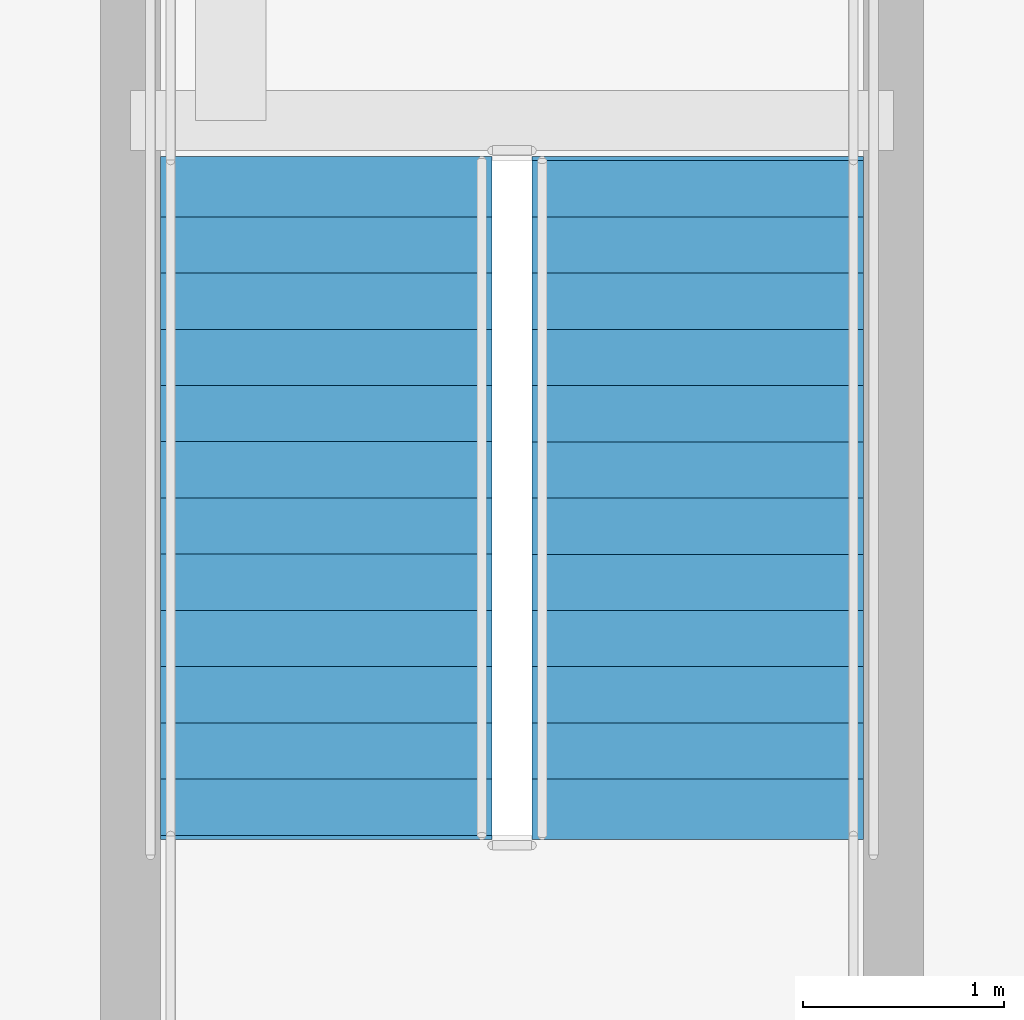
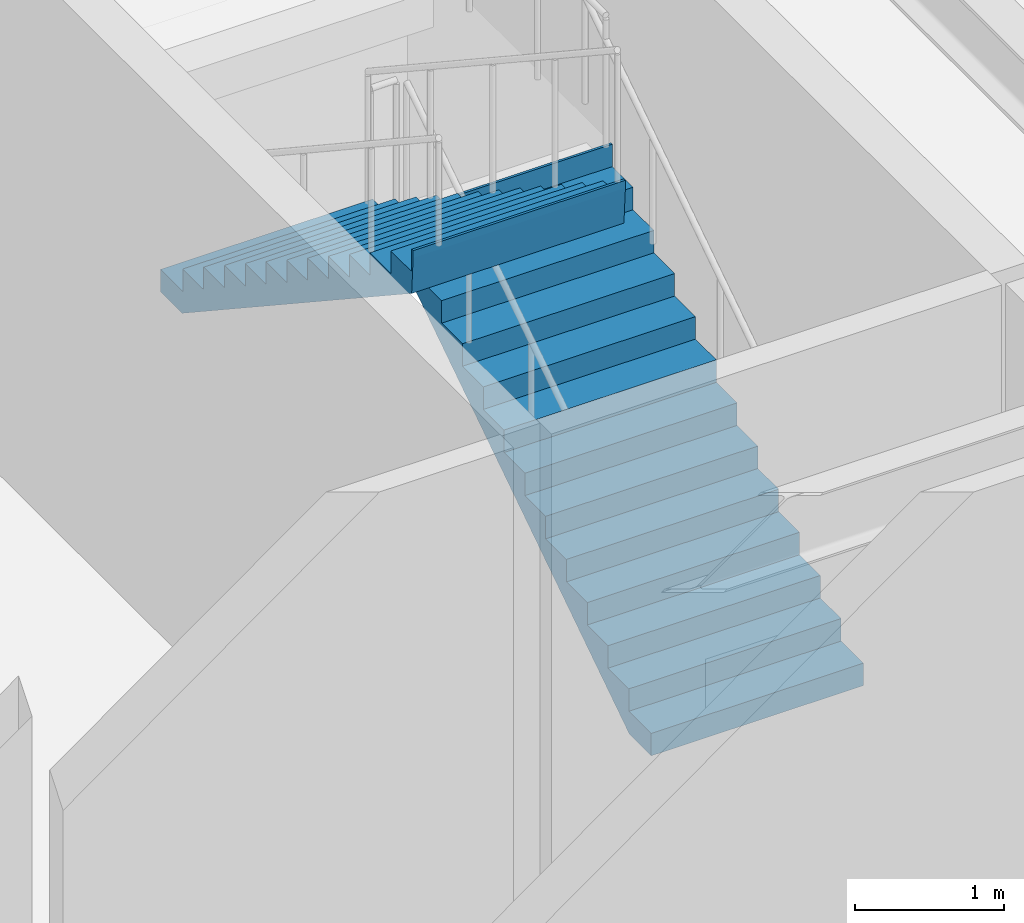
# One storey, part 18 of 20: 2 stair flights, 1 element without a shape of its own.
"""IFC4 building model written with IfcOpenShell, lengths in metres."""

from ifc_helpers import new_model, si_unit, direction, frame, origin, place, context, subcontext, project, spatial, polygons, material, type_object, element, aggregate, save


model = new_model("IFC4")

# Units and contexts
model_context = context("Model", 3, precision=1e-05, world=origin(), true_north=direction((0.0, 1.0)))
body_context = subcontext(model_context, "Body", "Model", "MODEL_VIEW")
ifc_project = project(units=[si_unit("LENGTHUNIT", "METRE"), si_unit("AREAUNIT", "SQUARE_METRE"), si_unit("VOLUMEUNIT", "CUBIC_METRE"), si_unit("PLANEANGLEUNIT", "RADIAN"), si_unit("MASSUNIT", "GRAM", prefix="KILO")], contexts=[model_context])

# Site, building, storey
site_placement = place(None, origin())
site = spatial("IfcSite", under=ifc_project, at=site_placement, CompositionType="ELEMENT")
building_placement = place(site_placement, origin())
building = spatial("IfcBuilding", under=site, at=building_placement, Name="Serunith Strait Residences", CompositionType="ELEMENT")
storey_placement = place(building_placement, frame((0.0, 0.0, 10.5)))
storey = spatial("IfcBuildingStorey", under=building, at=storey_placement, Name="L02", CompositionType="ELEMENT", Elevation=10.5)

# Stair, stair flights
ifc_material = material(Name="Concrete C50/60", Category="concrete")
stair_type = type_object("IfcStairType", Name="STR-POD-4", PredefinedType="HALF_TURN_STAIR", material=ifc_material)
stair_placement = place(storey_placement, origin())
stair = element("IfcStair", 1, at=stair_placement, inside=storey, type_object=stair_type, Name="L02 Podium Escape Stair ST-4", PredefinedType="HALF_TURN_STAIR")
stair_flight_type = type_object("IfcStairFlightType", Name="FLT-POD-4", PredefinedType="STRAIGHT", material=ifc_material)
stair_flight_1_placement = place(storey_placement, frame((49.77490234375, 36.8798828125, 0.0), z_axis=(0.0, 0.0, 1.0), x_axis=(0.0, 1.0, 0.0)))
stair_flight_1 = element("IfcStairFlight", 2, at=stair_flight_1_placement, type_object=stair_flight_type, Name="ST-4 flight 1", NumberOfRisers=13, NumberOfTreads=12, PredefinedType="STRAIGHT", RiserHeight=0.184615385, TreadLength=0.28, context=body_context, shape_type="Tessellation", body=[
    polygons([(-0.02001953125, -0.824951171875, 0.0), (-0.02001953125, -0.824951171875, 0.1845703125), (0.280029296875, -0.824951171875, 0.1845703125), (0.280029296875, -0.824951171875, 0.369140625), (0.56005859375, -0.824951171875, 0.369140625), (0.56005859375, -0.824951171875, 0.553955078125), (0.840087890625, -0.824951171875, 0.553955078125), (0.840087890625, -0.824951171875, 0.738525390625), (1.1201171875, -0.824951171875, 0.738525390625), (1.1201171875, -0.824951171875, 0.923095703125), (1.39990234375, -0.824951171875, 0.923095703125), (1.39990234375, -0.824951171875, 1.107666015625), (1.679931640625, -0.824951171875, 1.107666015625), (1.679931640625, -0.824951171875, 1.292236328125), (1.9599609375, -0.824951171875, 1.292236328125), (1.9599609375, -0.824951171875, 1.476806640625), (2.239990234375, -0.824951171875, 1.476806640625), (2.239990234375, -0.824951171875, 1.66162109375), (2.52001953125, -0.824951171875, 1.66162109375), (2.52001953125, -0.824951171875, 1.84619140625), (2.800048828125, -0.824951171875, 1.84619140625), (2.800048828125, -0.824951171875, 2.03076171875), (3.080078125, -0.824951171875, 2.03076171875), (3.080078125, -0.824951171875, 2.21533203125), (3.360107421875, -0.824951171875, 2.21533203125), (3.360107421875, -0.824951171875, 2.39990234375), (3.380126953125, -0.824951171875, 2.39990234375), (3.380126953125, -0.824951171875, 2.340087890625), (3.360107421875, -0.824951171875, 2.035888671875), (0.272216796875, -0.824951171875, 0.0), (-0.02001953125, -0.41259765625, 0.0), (-0.02001953125, -0.41259765625, 0.1845703125), (0.280029296875, -0.41259765625, 0.1845703125), (0.280029296875, -0.41259765625, 0.369140625), (0.56005859375, -0.41259765625, 0.369140625), (0.56005859375, -0.41259765625, 0.553955078125), (0.840087890625, -0.41259765625, 0.553955078125), (0.840087890625, -0.41259765625, 0.738525390625), (1.1201171875, -0.41259765625, 0.738525390625), (1.1201171875, -0.41259765625, 0.923095703125), (1.39990234375, -0.41259765625, 0.923095703125), (1.39990234375, -0.41259765625, 1.107666015625), (1.679931640625, -0.41259765625, 1.107666015625), (1.679931640625, -0.41259765625, 1.292236328125), (1.9599609375, -0.41259765625, 1.292236328125), (1.9599609375, -0.41259765625, 1.476806640625), (2.239990234375, -0.41259765625, 1.476806640625), (2.239990234375, -0.41259765625, 1.66162109375), (2.52001953125, -0.41259765625, 1.66162109375), (2.52001953125, -0.41259765625, 1.84619140625), (2.800048828125, -0.41259765625, 1.84619140625), (2.800048828125, -0.41259765625, 2.03076171875), (3.080078125, -0.41259765625, 2.03076171875), (3.080078125, -0.41259765625, 2.21533203125), (3.360107421875, -0.41259765625, 2.21533203125), (3.360107421875, -0.41259765625, 2.39990234375), (3.380126953125, -0.41259765625, 2.39990234375), (3.380126953125, -0.41259765625, 2.340087890625), (3.360107421875, -0.41259765625, 2.035888671875), (0.272216796875, -0.41259765625, 0.0), (-0.02001953125, 0.0, 0.0), (-0.02001953125, 0.0, 0.1845703125), (0.280029296875, 0.0, 0.1845703125), (0.280029296875, 0.0, 0.369140625), (0.56005859375, 0.0, 0.369140625), (0.56005859375, 0.0, 0.553955078125), (0.840087890625, 0.0, 0.553955078125), (0.840087890625, 0.0, 0.738525390625), (1.1201171875, 0.0, 0.738525390625), (1.1201171875, 0.0, 0.923095703125), (1.39990234375, 0.0, 0.923095703125), (1.39990234375, 0.0, 1.107666015625), (1.679931640625, 0.0, 1.107666015625), (1.679931640625, 0.0, 1.292236328125), (1.9599609375, 0.0, 1.292236328125), (1.9599609375, 0.0, 1.476806640625), (2.239990234375, 0.0, 1.476806640625), (2.239990234375, 0.0, 1.66162109375), (2.52001953125, 0.0, 1.66162109375), (2.52001953125, 0.0, 1.84619140625), (2.800048828125, 0.0, 1.84619140625), (2.800048828125, 0.0, 2.03076171875), (3.080078125, 0.0, 2.03076171875), (3.080078125, 0.0, 2.21533203125), (3.360107421875, 0.0, 2.21533203125), (3.360107421875, 0.0, 2.39990234375), (3.380126953125, 0.0, 2.39990234375), (3.380126953125, 0.0, 2.340087890625), (3.360107421875, 0.0, 2.035888671875), (0.272216796875, 0.0, 0.0), (-0.02001953125, 0.41259765625, 0.0), (-0.02001953125, 0.41259765625, 0.1845703125), (0.280029296875, 0.41259765625, 0.1845703125), (0.280029296875, 0.41259765625, 0.369140625), (0.56005859375, 0.41259765625, 0.369140625), (0.56005859375, 0.41259765625, 0.553955078125), (0.840087890625, 0.41259765625, 0.553955078125), (0.840087890625, 0.41259765625, 0.738525390625), (1.1201171875, 0.41259765625, 0.738525390625), (1.1201171875, 0.41259765625, 0.923095703125), (1.39990234375, 0.41259765625, 0.923095703125), (1.39990234375, 0.41259765625, 1.107666015625), (1.679931640625, 0.41259765625, 1.107666015625), (1.679931640625, 0.41259765625, 1.292236328125), (1.9599609375, 0.41259765625, 1.292236328125), (1.9599609375, 0.41259765625, 1.476806640625), (2.239990234375, 0.41259765625, 1.476806640625), (2.239990234375, 0.41259765625, 1.66162109375), (2.52001953125, 0.41259765625, 1.66162109375), (2.52001953125, 0.41259765625, 1.84619140625), (2.800048828125, 0.41259765625, 1.84619140625), (2.800048828125, 0.41259765625, 2.03076171875), (3.080078125, 0.41259765625, 2.03076171875), (3.080078125, 0.41259765625, 2.21533203125), (3.360107421875, 0.41259765625, 2.21533203125), (3.360107421875, 0.41259765625, 2.39990234375), (3.380126953125, 0.41259765625, 2.39990234375), (3.380126953125, 0.41259765625, 2.340087890625), (3.360107421875, 0.41259765625, 2.035888671875), (0.272216796875, 0.41259765625, 0.0), (-0.02001953125, 0.824951171875, 0.0), (-0.02001953125, 0.824951171875, 0.1845703125), (0.280029296875, 0.824951171875, 0.1845703125), (0.280029296875, 0.824951171875, 0.369140625), (0.56005859375, 0.824951171875, 0.369140625), (0.56005859375, 0.824951171875, 0.553955078125), (0.840087890625, 0.824951171875, 0.553955078125), (0.840087890625, 0.824951171875, 0.738525390625), (1.1201171875, 0.824951171875, 0.738525390625), (1.1201171875, 0.824951171875, 0.923095703125), (1.39990234375, 0.824951171875, 0.923095703125), (1.39990234375, 0.824951171875, 1.107666015625), (1.679931640625, 0.824951171875, 1.107666015625), (1.679931640625, 0.824951171875, 1.292236328125), (1.9599609375, 0.824951171875, 1.292236328125), (1.9599609375, 0.824951171875, 1.476806640625), (2.239990234375, 0.824951171875, 1.476806640625), (2.239990234375, 0.824951171875, 1.66162109375), (2.52001953125, 0.824951171875, 1.66162109375), (2.52001953125, 0.824951171875, 1.84619140625), (2.800048828125, 0.824951171875, 1.84619140625), (2.800048828125, 0.824951171875, 2.03076171875), (3.080078125, 0.824951171875, 2.03076171875), (3.080078125, 0.824951171875, 2.21533203125), (3.360107421875, 0.824951171875, 2.21533203125), (3.360107421875, 0.824951171875, 2.39990234375), (3.380126953125, 0.824951171875, 2.39990234375), (3.380126953125, 0.824951171875, 2.340087890625), (3.360107421875, 0.824951171875, 2.035888671875), (0.272216796875, 0.824951171875, 0.0)], [[[1, 2, 32, 31]], [[2, 3, 33, 32]], [[3, 4, 34, 33]], [[4, 5, 35, 34]], [[5, 6, 36, 35]], [[6, 7, 37, 36]], [[7, 8, 38, 37]], [[8, 9, 39, 38]], [[9, 10, 40, 39]], [[10, 11, 41, 40]], [[11, 12, 42, 41]], [[12, 13, 43, 42]], [[13, 14, 44, 43]], [[14, 15, 45, 44]], [[15, 16, 46, 45]], [[16, 17, 47, 46]], [[17, 18, 48, 47]], [[18, 19, 49, 48]], [[19, 20, 50, 49]], [[20, 21, 51, 50]], [[21, 22, 52, 51]], [[22, 23, 53, 52]], [[23, 24, 54, 53]], [[24, 25, 55, 54]], [[25, 26, 56, 55]], [[26, 27, 57, 56]], [[27, 28, 58, 57]], [[28, 29, 59, 58]], [[29, 30, 60, 59]], [[30, 1, 31, 60]], [[31, 32, 62, 61]], [[32, 33, 63, 62]], [[33, 34, 64, 63]], [[34, 35, 65, 64]], [[35, 36, 66, 65]], [[36, 37, 67, 66]], [[37, 38, 68, 67]], [[38, 39, 69, 68]], [[39, 40, 70, 69]], [[40, 41, 71, 70]], [[41, 42, 72, 71]], [[42, 43, 73, 72]], [[43, 44, 74, 73]], [[44, 45, 75, 74]], [[45, 46, 76, 75]], [[46, 47, 77, 76]], [[47, 48, 78, 77]], [[48, 49, 79, 78]], [[49, 50, 80, 79]], [[50, 51, 81, 80]], [[51, 52, 82, 81]], [[52, 53, 83, 82]], [[53, 54, 84, 83]], [[54, 55, 85, 84]], [[55, 56, 86, 85]], [[56, 57, 87, 86]], [[57, 58, 88, 87]], [[58, 59, 89, 88]], [[59, 60, 90, 89]], [[60, 31, 61, 90]], [[61, 62, 92, 91]], [[62, 63, 93, 92]], [[63, 64, 94, 93]], [[64, 65, 95, 94]], [[65, 66, 96, 95]], [[66, 67, 97, 96]], [[67, 68, 98, 97]], [[68, 69, 99, 98]], [[69, 70, 100, 99]], [[70, 71, 101, 100]], [[71, 72, 102, 101]], [[72, 73, 103, 102]], [[73, 74, 104, 103]], [[74, 75, 105, 104]], [[75, 76, 106, 105]], [[76, 77, 107, 106]], [[77, 78, 108, 107]], [[78, 79, 109, 108]], [[79, 80, 110, 109]], [[80, 81, 111, 110]], [[81, 82, 112, 111]], [[82, 83, 113, 112]], [[83, 84, 114, 113]], [[84, 85, 115, 114]], [[85, 86, 116, 115]], [[86, 87, 117, 116]], [[87, 88, 118, 117]], [[88, 89, 119, 118]], [[89, 90, 120, 119]], [[90, 61, 91, 120]], [[91, 92, 122, 121]], [[92, 93, 123, 122]], [[93, 94, 124, 123]], [[94, 95, 125, 124]], [[95, 96, 126, 125]], [[96, 97, 127, 126]], [[97, 98, 128, 127]], [[98, 99, 129, 128]], [[99, 100, 130, 129]], [[100, 101, 131, 130]], [[101, 102, 132, 131]], [[102, 103, 133, 132]], [[103, 104, 134, 133]], [[104, 105, 135, 134]], [[105, 106, 136, 135]], [[106, 107, 137, 136]], [[107, 108, 138, 137]], [[108, 109, 139, 138]], [[109, 110, 140, 139]], [[110, 111, 141, 140]], [[111, 112, 142, 141]], [[112, 113, 143, 142]], [[113, 114, 144, 143]], [[114, 115, 145, 144]], [[115, 116, 146, 145]], [[116, 117, 147, 146]], [[117, 118, 148, 147]], [[118, 119, 149, 148]], [[119, 120, 150, 149]], [[120, 91, 121, 150]], [[30, 29, 28, 27, 26, 25, 24, 23, 22, 21, 20, 19, 18, 17, 16, 15, 14, 13, 12, 11, 10, 9, 8, 7, 6, 5, 4, 3, 2, 1]], [[121, 122, 123, 124, 125, 126, 127, 128, 129, 130, 131, 132, 133, 134, 135, 136, 137, 138, 139, 140, 141, 142, 143, 144, 145, 146, 147, 148, 149, 150]]], closed=True),
])
stair_flight_2_placement = place(storey_placement, frame((47.925048828125, 40.239990234375, 2.39990234375), z_axis=(0.0, 0.0, 1.0), x_axis=(0.0, -1.0, 0.0)))
stair_flight_2 = element("IfcStairFlight", 3, at=stair_flight_2_placement, type_object=stair_flight_type, Name="ST-4 flight 2", NumberOfRisers=13, NumberOfTreads=12, PredefinedType="STRAIGHT", RiserHeight=0.184615385, TreadLength=0.28, context=body_context, shape_type="Tessellation", body=[
    polygons([(-0.02001953125, -0.824951171875, 0.0), (-0.02001953125, -0.824951171875, 0.1845703125), (0.280029296875, -0.824951171875, 0.1845703125), (0.280029296875, -0.824951171875, 0.369140625), (0.56005859375, -0.824951171875, 0.369140625), (0.56005859375, -0.824951171875, 0.553955078125), (0.840087890625, -0.824951171875, 0.553955078125), (0.840087890625, -0.824951171875, 0.738525390625), (1.1201171875, -0.824951171875, 0.738525390625), (1.1201171875, -0.824951171875, 0.923095703125), (1.39990234375, -0.824951171875, 0.923095703125), (1.39990234375, -0.824951171875, 1.107666015625), (1.679931640625, -0.824951171875, 1.107666015625), (1.679931640625, -0.824951171875, 1.292236328125), (1.9599609375, -0.824951171875, 1.292236328125), (1.9599609375, -0.824951171875, 1.476806640625), (2.239990234375, -0.824951171875, 1.476806640625), (2.239990234375, -0.824951171875, 1.66162109375), (2.52001953125, -0.824951171875, 1.66162109375), (2.52001953125, -0.824951171875, 1.84619140625), (2.800048828125, -0.824951171875, 1.84619140625), (2.800048828125, -0.824951171875, 2.03076171875), (3.080078125, -0.824951171875, 2.03076171875), (3.080078125, -0.824951171875, 2.21533203125), (3.360107421875, -0.824951171875, 2.21533203125), (3.360107421875, -0.824951171875, 2.39990234375), (3.380126953125, -0.824951171875, 2.39990234375), (3.380126953125, -0.824951171875, 2.340087890625), (3.360107421875, -0.824951171875, 2.035888671875), (0.272216796875, -0.824951171875, 0.0), (-0.02001953125, -0.41259765625, 0.0), (-0.02001953125, -0.41259765625, 0.1845703125), (0.280029296875, -0.41259765625, 0.1845703125), (0.280029296875, -0.41259765625, 0.369140625), (0.56005859375, -0.41259765625, 0.369140625), (0.56005859375, -0.41259765625, 0.553955078125), (0.840087890625, -0.41259765625, 0.553955078125), (0.840087890625, -0.41259765625, 0.738525390625), (1.1201171875, -0.41259765625, 0.738525390625), (1.1201171875, -0.41259765625, 0.923095703125), (1.39990234375, -0.41259765625, 0.923095703125), (1.39990234375, -0.41259765625, 1.107666015625), (1.679931640625, -0.41259765625, 1.107666015625), (1.679931640625, -0.41259765625, 1.292236328125), (1.9599609375, -0.41259765625, 1.292236328125), (1.9599609375, -0.41259765625, 1.476806640625), (2.239990234375, -0.41259765625, 1.476806640625), (2.239990234375, -0.41259765625, 1.66162109375), (2.52001953125, -0.41259765625, 1.66162109375), (2.52001953125, -0.41259765625, 1.84619140625), (2.800048828125, -0.41259765625, 1.84619140625), (2.800048828125, -0.41259765625, 2.03076171875), (3.080078125, -0.41259765625, 2.03076171875), (3.080078125, -0.41259765625, 2.21533203125), (3.360107421875, -0.41259765625, 2.21533203125), (3.360107421875, -0.41259765625, 2.39990234375), (3.380126953125, -0.41259765625, 2.39990234375), (3.380126953125, -0.41259765625, 2.340087890625), (3.360107421875, -0.41259765625, 2.035888671875), (0.272216796875, -0.41259765625, 0.0), (-0.02001953125, 0.0, 0.0), (-0.02001953125, 0.0, 0.1845703125), (0.280029296875, 0.0, 0.1845703125), (0.280029296875, 0.0, 0.369140625), (0.56005859375, 0.0, 0.369140625), (0.56005859375, 0.0, 0.553955078125), (0.840087890625, 0.0, 0.553955078125), (0.840087890625, 0.0, 0.738525390625), (1.1201171875, 0.0, 0.738525390625), (1.1201171875, 0.0, 0.923095703125), (1.39990234375, 0.0, 0.923095703125), (1.39990234375, 0.0, 1.107666015625), (1.679931640625, 0.0, 1.107666015625), (1.679931640625, 0.0, 1.292236328125), (1.9599609375, 0.0, 1.292236328125), (1.9599609375, 0.0, 1.476806640625), (2.239990234375, 0.0, 1.476806640625), (2.239990234375, 0.0, 1.66162109375), (2.52001953125, 0.0, 1.66162109375), (2.52001953125, 0.0, 1.84619140625), (2.800048828125, 0.0, 1.84619140625), (2.800048828125, 0.0, 2.03076171875), (3.080078125, 0.0, 2.03076171875), (3.080078125, 0.0, 2.21533203125), (3.360107421875, 0.0, 2.21533203125), (3.360107421875, 0.0, 2.39990234375), (3.380126953125, 0.0, 2.39990234375), (3.380126953125, 0.0, 2.340087890625), (3.360107421875, 0.0, 2.035888671875), (0.272216796875, 0.0, 0.0), (-0.02001953125, 0.41259765625, 0.0), (-0.02001953125, 0.41259765625, 0.1845703125), (0.280029296875, 0.41259765625, 0.1845703125), (0.280029296875, 0.41259765625, 0.369140625), (0.56005859375, 0.41259765625, 0.369140625), (0.56005859375, 0.41259765625, 0.553955078125), (0.840087890625, 0.41259765625, 0.553955078125), (0.840087890625, 0.41259765625, 0.738525390625), (1.1201171875, 0.41259765625, 0.738525390625), (1.1201171875, 0.41259765625, 0.923095703125), (1.39990234375, 0.41259765625, 0.923095703125), (1.39990234375, 0.41259765625, 1.107666015625), (1.679931640625, 0.41259765625, 1.107666015625), (1.679931640625, 0.41259765625, 1.292236328125), (1.9599609375, 0.41259765625, 1.292236328125), (1.9599609375, 0.41259765625, 1.476806640625), (2.239990234375, 0.41259765625, 1.476806640625), (2.239990234375, 0.41259765625, 1.66162109375), (2.52001953125, 0.41259765625, 1.66162109375), (2.52001953125, 0.41259765625, 1.84619140625), (2.800048828125, 0.41259765625, 1.84619140625), (2.800048828125, 0.41259765625, 2.03076171875), (3.080078125, 0.41259765625, 2.03076171875), (3.080078125, 0.41259765625, 2.21533203125), (3.360107421875, 0.41259765625, 2.21533203125), (3.360107421875, 0.41259765625, 2.39990234375), (3.380126953125, 0.41259765625, 2.39990234375), (3.380126953125, 0.41259765625, 2.340087890625), (3.360107421875, 0.41259765625, 2.035888671875), (0.272216796875, 0.41259765625, 0.0), (-0.02001953125, 0.824951171875, 0.0), (-0.02001953125, 0.824951171875, 0.1845703125), (0.280029296875, 0.824951171875, 0.1845703125), (0.280029296875, 0.824951171875, 0.369140625), (0.56005859375, 0.824951171875, 0.369140625), (0.56005859375, 0.824951171875, 0.553955078125), (0.840087890625, 0.824951171875, 0.553955078125), (0.840087890625, 0.824951171875, 0.738525390625), (1.1201171875, 0.824951171875, 0.738525390625), (1.1201171875, 0.824951171875, 0.923095703125), (1.39990234375, 0.824951171875, 0.923095703125), (1.39990234375, 0.824951171875, 1.107666015625), (1.679931640625, 0.824951171875, 1.107666015625), (1.679931640625, 0.824951171875, 1.292236328125), (1.9599609375, 0.824951171875, 1.292236328125), (1.9599609375, 0.824951171875, 1.476806640625), (2.239990234375, 0.824951171875, 1.476806640625), (2.239990234375, 0.824951171875, 1.66162109375), (2.52001953125, 0.824951171875, 1.66162109375), (2.52001953125, 0.824951171875, 1.84619140625), (2.800048828125, 0.824951171875, 1.84619140625), (2.800048828125, 0.824951171875, 2.03076171875), (3.080078125, 0.824951171875, 2.03076171875), (3.080078125, 0.824951171875, 2.21533203125), (3.360107421875, 0.824951171875, 2.21533203125), (3.360107421875, 0.824951171875, 2.39990234375), (3.380126953125, 0.824951171875, 2.39990234375), (3.380126953125, 0.824951171875, 2.340087890625), (3.360107421875, 0.824951171875, 2.035888671875), (0.272216796875, 0.824951171875, 0.0)], [[[1, 2, 32, 31]], [[2, 3, 33, 32]], [[3, 4, 34, 33]], [[4, 5, 35, 34]], [[5, 6, 36, 35]], [[6, 7, 37, 36]], [[7, 8, 38, 37]], [[8, 9, 39, 38]], [[9, 10, 40, 39]], [[10, 11, 41, 40]], [[11, 12, 42, 41]], [[12, 13, 43, 42]], [[13, 14, 44, 43]], [[14, 15, 45, 44]], [[15, 16, 46, 45]], [[16, 17, 47, 46]], [[17, 18, 48, 47]], [[18, 19, 49, 48]], [[19, 20, 50, 49]], [[20, 21, 51, 50]], [[21, 22, 52, 51]], [[22, 23, 53, 52]], [[23, 24, 54, 53]], [[24, 25, 55, 54]], [[25, 26, 56, 55]], [[26, 27, 57, 56]], [[27, 28, 58, 57]], [[28, 29, 59, 58]], [[29, 30, 60, 59]], [[30, 1, 31, 60]], [[31, 32, 62, 61]], [[32, 33, 63, 62]], [[33, 34, 64, 63]], [[34, 35, 65, 64]], [[35, 36, 66, 65]], [[36, 37, 67, 66]], [[37, 38, 68, 67]], [[38, 39, 69, 68]], [[39, 40, 70, 69]], [[40, 41, 71, 70]], [[41, 42, 72, 71]], [[42, 43, 73, 72]], [[43, 44, 74, 73]], [[44, 45, 75, 74]], [[45, 46, 76, 75]], [[46, 47, 77, 76]], [[47, 48, 78, 77]], [[48, 49, 79, 78]], [[49, 50, 80, 79]], [[50, 51, 81, 80]], [[51, 52, 82, 81]], [[52, 53, 83, 82]], [[53, 54, 84, 83]], [[54, 55, 85, 84]], [[55, 56, 86, 85]], [[56, 57, 87, 86]], [[57, 58, 88, 87]], [[58, 59, 89, 88]], [[59, 60, 90, 89]], [[60, 31, 61, 90]], [[61, 62, 92, 91]], [[62, 63, 93, 92]], [[63, 64, 94, 93]], [[64, 65, 95, 94]], [[65, 66, 96, 95]], [[66, 67, 97, 96]], [[67, 68, 98, 97]], [[68, 69, 99, 98]], [[69, 70, 100, 99]], [[70, 71, 101, 100]], [[71, 72, 102, 101]], [[72, 73, 103, 102]], [[73, 74, 104, 103]], [[74, 75, 105, 104]], [[75, 76, 106, 105]], [[76, 77, 107, 106]], [[77, 78, 108, 107]], [[78, 79, 109, 108]], [[79, 80, 110, 109]], [[80, 81, 111, 110]], [[81, 82, 112, 111]], [[82, 83, 113, 112]], [[83, 84, 114, 113]], [[84, 85, 115, 114]], [[85, 86, 116, 115]], [[86, 87, 117, 116]], [[87, 88, 118, 117]], [[88, 89, 119, 118]], [[89, 90, 120, 119]], [[90, 61, 91, 120]], [[91, 92, 122, 121]], [[92, 93, 123, 122]], [[93, 94, 124, 123]], [[94, 95, 125, 124]], [[95, 96, 126, 125]], [[96, 97, 127, 126]], [[97, 98, 128, 127]], [[98, 99, 129, 128]], [[99, 100, 130, 129]], [[100, 101, 131, 130]], [[101, 102, 132, 131]], [[102, 103, 133, 132]], [[103, 104, 134, 133]], [[104, 105, 135, 134]], [[105, 106, 136, 135]], [[106, 107, 137, 136]], [[107, 108, 138, 137]], [[108, 109, 139, 138]], [[109, 110, 140, 139]], [[110, 111, 141, 140]], [[111, 112, 142, 141]], [[112, 113, 143, 142]], [[113, 114, 144, 143]], [[114, 115, 145, 144]], [[115, 116, 146, 145]], [[116, 117, 147, 146]], [[117, 118, 148, 147]], [[118, 119, 149, 148]], [[119, 120, 150, 149]], [[120, 91, 121, 150]], [[30, 29, 28, 27, 26, 25, 24, 23, 22, 21, 20, 19, 18, 17, 16, 15, 14, 13, 12, 11, 10, 9, 8, 7, 6, 5, 4, 3, 2, 1]], [[121, 122, 123, 124, 125, 126, 127, 128, 129, 130, 131, 132, 133, 134, 135, 136, 137, 138, 139, 140, 141, 142, 143, 144, 145, 146, 147, 148, 149, 150]]], closed=True),
])
aggregate(stair, [stair_flight_1, stair_flight_2])

save(model, "model.ifc")
